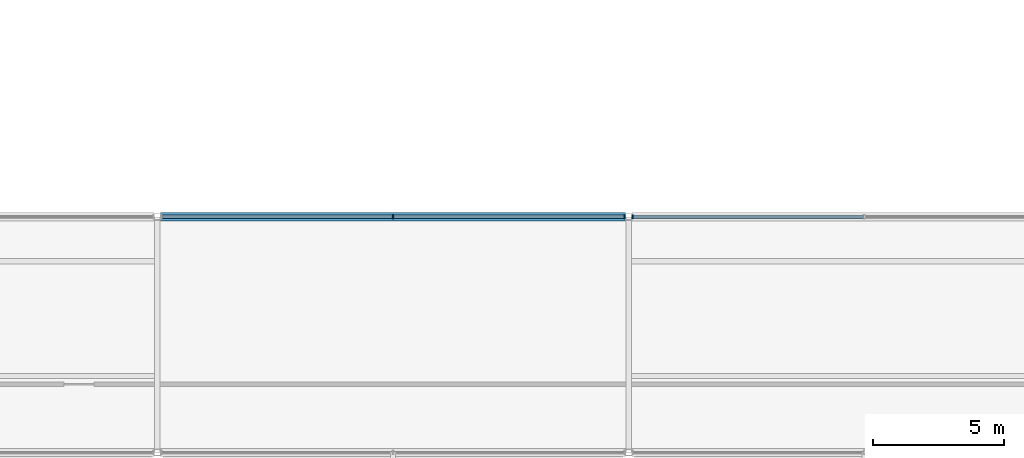
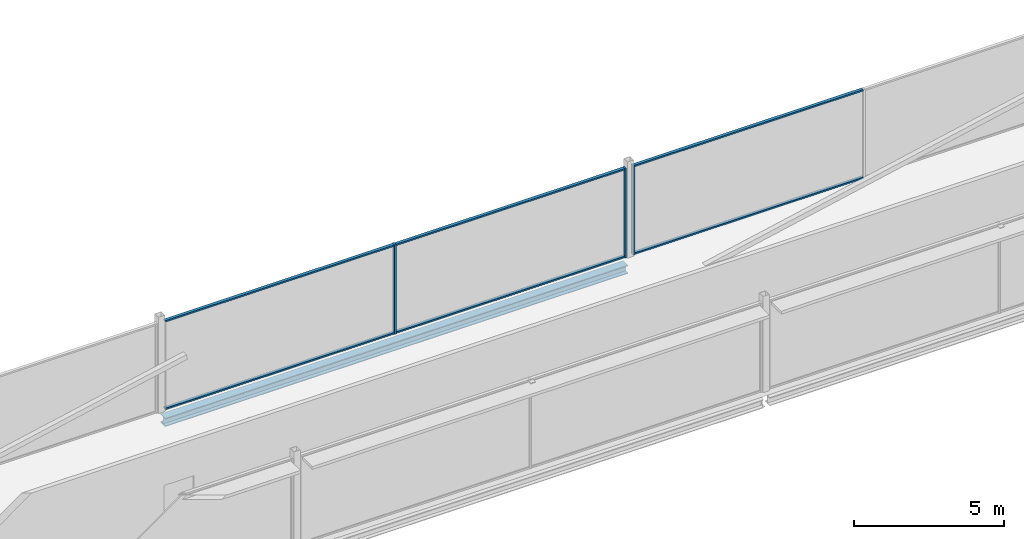
# One storey, part 22 of 98: 9 members, 1 beam, 2 elements without a shape of their own.
"""IFC4 building model written with IfcOpenShell, lengths in metres."""

from ifc_helpers import new_model, si_unit, direction, frame, origin, origin_2d, place, context, subcontext, project, spatial, rectangle, i_section, extrude, material, layer, layer_set, material_profile, profile_set, type_object, element, aggregate, save


model = new_model("IFC4")

# Units and contexts
model_context = context("Model", 3, precision=1e-05, world=origin(), true_north=direction((0.0, 1.0)))
body_context = subcontext(model_context, "Body", "Model", "MODEL_VIEW")
ifc_project = project(units=[si_unit("LENGTHUNIT", "METRE"), si_unit("AREAUNIT", "SQUARE_METRE"), si_unit("VOLUMEUNIT", "CUBIC_METRE"), si_unit("PLANEANGLEUNIT", "RADIAN"), si_unit("MASSUNIT", "GRAM", prefix="KILO")], contexts=[model_context])

# Site, building, storey
site_placement = place(None, origin())
site = spatial("IfcSite", under=ifc_project, at=site_placement, CompositionType="ELEMENT")
building_placement = place(site_placement, origin())
building = spatial("IfcBuilding", under=site, at=building_placement, Name="Kisiwana Market Hall", CompositionType="ELEMENT")
storey_placement = place(building_placement, frame((0.0, 0.0, 29.39990234375)))
storey = spatial("IfcBuildingStorey", under=building, at=storey_placement, Name="L06", CompositionType="ELEMENT", Elevation=29.39990234375)

# Beam
ifc_material_1 = material(Name="Steel S355", Category="steel")
ifc_material_profile_1 = material_profile(ifc_material_1, i_section(OverallWidth=0.314453125, OverallDepth=0.33984375, WebThickness=0.01904296875, FlangeThickness=0.031494140625, at=origin_2d()), Name="UC 305x305x198")
ifc_profile_set_1 = profile_set([ifc_material_profile_1], Name="Steel S355")
beam_type = type_object("IfcBeamType", Name="BM-SKYBR-CHORD", PredefinedType="BEAM", material=ifc_profile_set_1)
beam_placement = place(storey_placement, frame((63.12109375, 27.0, -0.434814453125), z_axis=(1.0, 0.0, 0.0), x_axis=(0.0, 1.0, 0.0)))
element("IfcBeam", 1, at=beam_placement, inside=storey, type_object=beam_type, Name="Floor beam B-1798", PredefinedType="BEAM", context=body_context, shape_type="SweptSolid", body=[
    extrude(i_section(OverallWidth=0.314453125, OverallDepth=0.33984375, WebThickness=0.01904296875, FlangeThickness=0.031494140625, at=origin_2d()), origin(), (0.0, 0.0, 1.0), 17.7578125),
])

# Curtain wall, members
ifc_material_2 = material(Name="Double-glazed solar-control low-E IGU", Category="glass")
ifc_layer = layer(ifc_material_2, 0.159912109375)
ifc_layer_set = layer_set([ifc_layer], Name="CW-ZNA-EW-8200")
curtain_wall_type = type_object("IfcCurtainWallType", Name="CW-ZNA-EW-8200", PredefinedType="USERDEFINED", material=ifc_layer_set)
curtain_wall_1_placement = place(storey_placement, origin())
curtain_wall_1 = element("IfcCurtainWall", 2, at=curtain_wall_1_placement, inside=storey, type_object=curtain_wall_type, Name="Unitised curtain wall CW-179 (L06)", ObjectType="UNITISED CURTAIN WALL", PredefinedType="USERDEFINED")
ifc_material_3 = material(Name="Aluminium alloy 6063-T6", Category="aluminium")
ifc_material_profile_2 = material_profile(ifc_material_3, rectangle(XDim=0.06005859375, YDim=0.159912109375, at=origin_2d()), Name="ALU MULLION 60x160")
ifc_profile_set_2 = profile_set([ifc_material_profile_2], Name="Aluminium alloy 6063-T6")
member_type_1 = type_object("IfcMemberType", Name="CW-MULL-60x160", PredefinedType="MULLION", material=ifc_profile_set_2)
member_1_placement = place(storey_placement, frame((72.0, 27.0, 0.0), z_axis=(0.0, 0.0, 1.0), x_axis=(1.0, 0.0, 0.0)))
member_1 = element("IfcMember", 3, at=member_1_placement, type_object=member_type_1, Name="CW-179 mullion 2", PredefinedType="MULLION", context=body_context, shape_type="SweptSolid", body=[
    extrude(rectangle(XDim=0.06005859375, YDim=0.159912109375, at=origin_2d()), origin(), (0.0, 0.0, 1.0), 3.6201171875),
])
member_2_placement = place(storey_placement, frame((80.844970703125, 27.0, 0.0), z_axis=(0.0, 0.0, 1.0), x_axis=(1.0, 0.0, 0.0)))
member_2 = element("IfcMember", 4, at=member_2_placement, type_object=member_type_1, Name="CW-179 mullion 3", PredefinedType="MULLION", context=body_context, shape_type="SweptSolid", body=[
    extrude(rectangle(XDim=0.06005859375, YDim=0.159912109375, at=origin_2d()), origin(), (0.0, 0.0, 1.0), 3.6201171875),
])

# Curtain wall, member
curtain_wall_2_placement = place(storey_placement, origin())
curtain_wall_2 = element("IfcCurtainWall", 5, at=curtain_wall_2_placement, inside=storey, type_object=curtain_wall_type, Name="Unitised curtain wall CW-180 (L06)", ObjectType="UNITISED CURTAIN WALL", PredefinedType="USERDEFINED")
member_3_placement = place(storey_placement, frame((81.155029296875, 27.0, 0.0), z_axis=(0.0, 0.0, 1.0), x_axis=(1.0, 0.0, 0.0)))
member_3 = element("IfcMember", 6, at=member_3_placement, type_object=member_type_1, Name="CW-180 mullion 1", PredefinedType="MULLION", context=body_context, shape_type="SweptSolid", body=[
    extrude(rectangle(XDim=0.06005859375, YDim=0.159912109375, at=origin_2d()), origin(), (0.0, 0.0, 1.0), 3.6201171875),
])

# Member
ifc_material_4 = material(Name="Aluminium alloy 6063-T6", Category="aluminium")
ifc_material_profile_3 = material_profile(ifc_material_4, rectangle(XDim=0.1201171875, YDim=0.06005859375, at=origin_2d()), Name="ALU TRANSOM 60x120")
ifc_profile_set_3 = profile_set([ifc_material_profile_3], Name="Aluminium alloy 6063-T6")
member_type_2 = type_object("IfcMemberType", Name="CW-TRAN-60x120", PredefinedType="USERDEFINED", material=ifc_profile_set_3)
member_4_placement = place(storey_placement, frame((63.18505859375, 27.0, 0.030029296875), z_axis=(1.0, 0.0, 0.0), x_axis=(0.0, 1.0, 0.0)))
member_4 = element("IfcMember", 7, at=member_4_placement, type_object=member_type_2, Name="CW-179 transom 1.1", ObjectType="TRANSOM", PredefinedType="USERDEFINED", context=body_context, shape_type="SweptSolid", body=[
    extrude(rectangle(XDim=0.1201171875, YDim=0.06005859375, at=origin_2d()), origin(), (0.0, 0.0, 1.0), 8.784912109375),
])

member_5_placement = place(storey_placement, frame((63.18505859375, 27.0, 3.590087890625), z_axis=(1.0, 0.0, 0.0), x_axis=(0.0, 1.0, 0.0)))
member_5 = element("IfcMember", 8, at=member_5_placement, type_object=member_type_2, Name="CW-179 transom 1.2", ObjectType="TRANSOM", PredefinedType="USERDEFINED", context=body_context, shape_type="SweptSolid", body=[
    extrude(rectangle(XDim=0.1201171875, YDim=0.06005859375, at=origin_2d()), origin(), (0.0, 0.0, 1.0), 8.784912109375),
])

member_6_placement = place(storey_placement, frame((72.030029296875, 27.0, 0.030029296875), z_axis=(1.0, 0.0, 0.0), x_axis=(0.0, 1.0, 0.0)))
member_6 = element("IfcMember", 9, at=member_6_placement, type_object=member_type_2, Name="CW-179 transom 2.1", ObjectType="TRANSOM", PredefinedType="USERDEFINED", context=body_context, shape_type="SweptSolid", body=[
    extrude(rectangle(XDim=0.1201171875, YDim=0.06005859375, at=origin_2d()), origin(), (0.0, 0.0, 1.0), 8.784912109375),
])

member_7_placement = place(storey_placement, frame((72.030029296875, 27.0, 3.590087890625), z_axis=(1.0, 0.0, 0.0), x_axis=(0.0, 1.0, 0.0)))
member_7 = element("IfcMember", 10, at=member_7_placement, type_object=member_type_2, Name="CW-179 transom 2.2", ObjectType="TRANSOM", PredefinedType="USERDEFINED", context=body_context, shape_type="SweptSolid", body=[
    extrude(rectangle(XDim=0.1201171875, YDim=0.06005859375, at=origin_2d()), origin(), (0.0, 0.0, 1.0), 8.784912109375),
])

aggregate(curtain_wall_1, [member_1, member_2, member_4, member_5, member_6, member_7])

member_8_placement = place(storey_placement, frame((81.18505859375, 27.0, 0.030029296875), z_axis=(1.0, 0.0, 0.0), x_axis=(0.0, 1.0, 0.0)))
member_8 = element("IfcMember", 11, at=member_8_placement, type_object=member_type_2, Name="CW-180 transom 1.1", ObjectType="TRANSOM", PredefinedType="USERDEFINED", context=body_context, shape_type="SweptSolid", body=[
    extrude(rectangle(XDim=0.1201171875, YDim=0.06005859375, at=origin_2d()), origin(), (0.0, 0.0, 1.0), 8.784912109375),
])

member_9_placement = place(storey_placement, frame((81.18505859375, 27.0, 3.590087890625), z_axis=(1.0, 0.0, 0.0), x_axis=(0.0, 1.0, 0.0)))
member_9 = element("IfcMember", 12, at=member_9_placement, type_object=member_type_2, Name="CW-180 transom 1.2", ObjectType="TRANSOM", PredefinedType="USERDEFINED", context=body_context, shape_type="SweptSolid", body=[
    extrude(rectangle(XDim=0.1201171875, YDim=0.06005859375, at=origin_2d()), origin(), (0.0, 0.0, 1.0), 8.784912109375),
])

aggregate(curtain_wall_2, [member_3, member_8, member_9])

save(model, "model.ifc")
